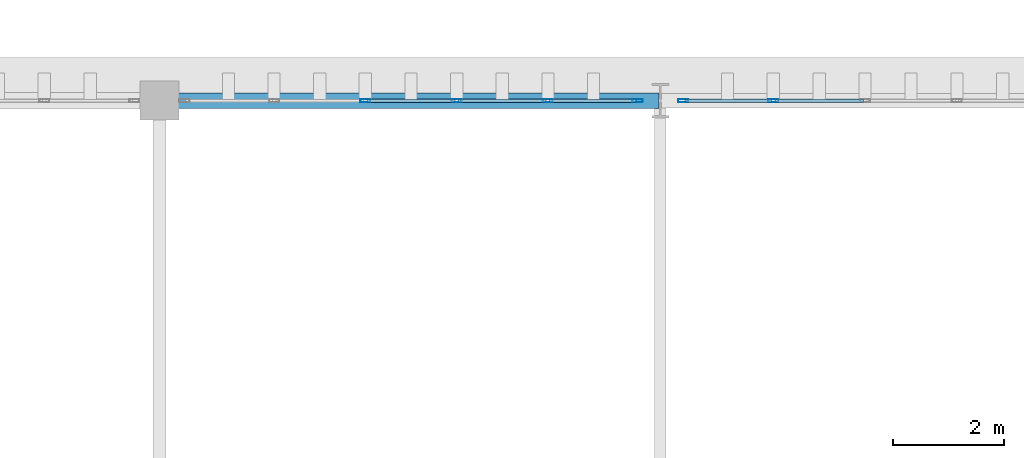
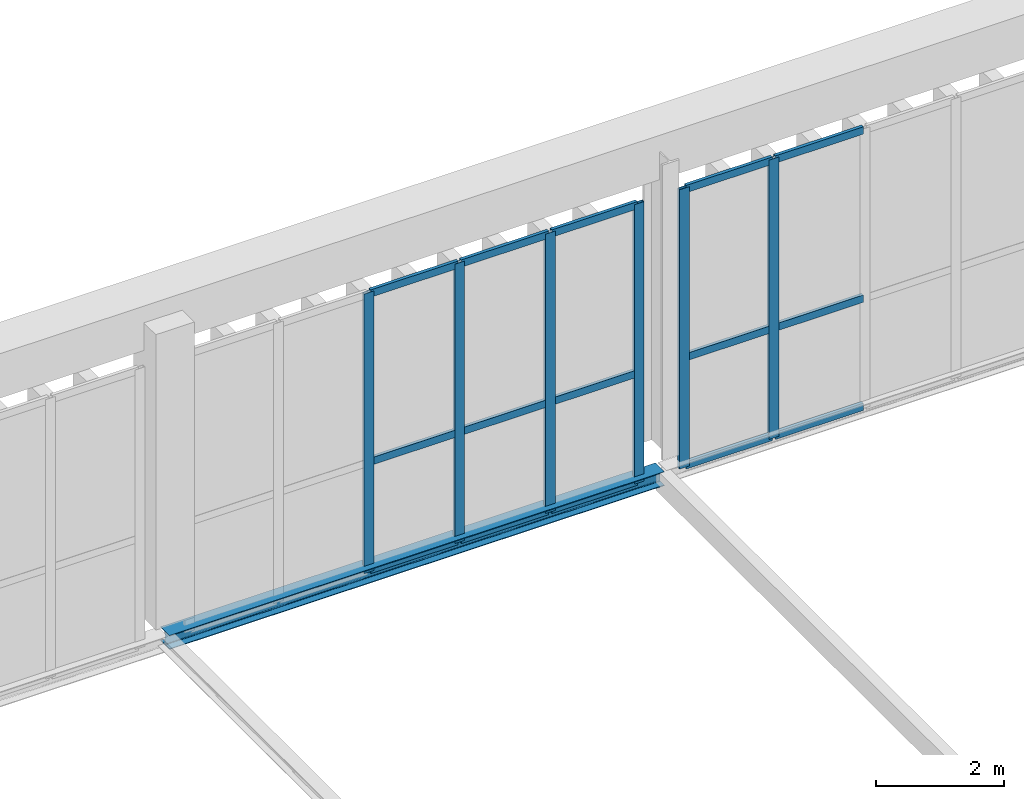
# One storey, part 167 of 237: 21 members, 1 beam, 2 elements without a shape of their own.
"""IFC4 building model written with IfcOpenShell, lengths in metres."""

from ifc_helpers import new_model, si_unit, direction, frame, origin, origin_2d, place, context, subcontext, project, spatial, hollow_rectangle, i_section, extrude, material, layer, layer_set, material_profile, profile_set, type_object, element, aggregate, save


model = new_model("IFC4")

# Units and contexts
model_context = context("Model", 3, precision=1e-05, world=origin(), true_north=direction((0.0, 1.0)))
body_context = subcontext(model_context, "Body", "Model", "MODEL_VIEW")
ifc_project = project(units=[si_unit("LENGTHUNIT", "METRE"), si_unit("AREAUNIT", "SQUARE_METRE"), si_unit("VOLUMEUNIT", "CUBIC_METRE"), si_unit("PLANEANGLEUNIT", "RADIAN"), si_unit("MASSUNIT", "GRAM", prefix="KILO")], contexts=[model_context])

# Site, building, storey
site_placement = place(None, origin())
site = spatial("IfcSite", under=ifc_project, at=site_placement, CompositionType="ELEMENT")
building_placement = place(site_placement, origin())
building = spatial("IfcBuilding", under=site, at=building_placement, Name="Barlavento Convention Centre", CompositionType="ELEMENT")
storey_placement = place(building_placement, frame((0.0, 0.0, 12.0)))
storey = spatial("IfcBuildingStorey", under=building, at=storey_placement, Name="L02", CompositionType="ELEMENT", Elevation=12.0)

# Curtain wall, members
ifc_material_1 = material(Name="Powder-coated aluminium and Low-E glass", Category="aluminium")
ifc_layer = layer(ifc_material_1, 0.18505859375)
ifc_layer_set = layer_set([ifc_layer], Name="ARC-CW-EXH-L02")
curtain_wall_type = type_object("IfcCurtainWallType", Name="ARC-CW-EXH-L02", PredefinedType="NOTDEFINED", material=ifc_layer_set)
curtain_wall_1_placement = place(storey_placement, origin())
curtain_wall_1 = element("IfcCurtainWall", 1, at=curtain_wall_1_placement, inside=storey, type_object=curtain_wall_type, Name="L02 unitised curtain wall CW05", PredefinedType="NOTDEFINED")
ifc_material_2 = material(Name="Powder-coated aluminium", Category="aluminium")
ifc_material_profile_1 = material_profile(ifc_material_2, hollow_rectangle(XDim=0.06005859375, YDim=0.179931640625, WallThickness=0.0048828125, at=origin_2d()), Name="AL-MULL 60x180x5")
ifc_profile_set_1 = profile_set([ifc_material_profile_1], Name="Powder-coated aluminium")
member_type_1 = type_object("IfcMemberType", Name="ARC-CWM-60X180", PredefinedType="MULLION", material=ifc_profile_set_1)
member_1_placement = place(storey_placement, frame((12.699951171875, 135.0, -0.5), z_axis=(0.0, 0.0, 1.0), x_axis=(0.0, 1.0, 0.0)))
member_1 = element("IfcMember", 2, at=member_1_placement, type_object=member_type_1, Name="CW05 mullion 3", PredefinedType="MULLION", context=body_context, shape_type="SweptSolid", body=[
    extrude(hollow_rectangle(XDim=0.06005859375, YDim=0.179931640625, WallThickness=0.0048828125, at=origin_2d()), origin(), (0.0, 0.0, 1.0), 5.35009765625),
])
member_2_placement = place(storey_placement, frame((14.340087890625, 135.0, -0.5), z_axis=(0.0, 0.0, 1.0), x_axis=(0.0, 1.0, 0.0)))
member_2 = element("IfcMember", 3, at=member_2_placement, type_object=member_type_1, Name="CW05 mullion 4", PredefinedType="MULLION", context=body_context, shape_type="SweptSolid", body=[
    extrude(hollow_rectangle(XDim=0.06005859375, YDim=0.179931640625, WallThickness=0.0048828125, at=origin_2d()), origin(), (0.0, 0.0, 1.0), 5.35009765625),
])
member_3_placement = place(storey_placement, frame((15.97998046875, 135.0, -0.5), z_axis=(0.0, 0.0, 1.0), x_axis=(0.0, 1.0, 0.0)))
member_3 = element("IfcMember", 4, at=member_3_placement, type_object=member_type_1, Name="CW05 mullion 5", PredefinedType="MULLION", context=body_context, shape_type="SweptSolid", body=[
    extrude(hollow_rectangle(XDim=0.06005859375, YDim=0.179931640625, WallThickness=0.0048828125, at=origin_2d()), origin(), (0.0, 0.0, 1.0), 5.35009765625),
])
member_4_placement = place(storey_placement, frame((17.590087890625, 135.0, -0.5), z_axis=(0.0, 0.0, 1.0), x_axis=(0.0, 1.0, 0.0)))
member_4 = element("IfcMember", 5, at=member_4_placement, type_object=member_type_1, Name="CW05 mullion 6", PredefinedType="MULLION", context=body_context, shape_type="SweptSolid", body=[
    extrude(hollow_rectangle(XDim=0.06005859375, YDim=0.179931640625, WallThickness=0.0048828125, at=origin_2d()), origin(), (0.0, 0.0, 1.0), 5.35009765625),
])

curtain_wall_2_placement = place(storey_placement, origin())
curtain_wall_2 = element("IfcCurtainWall", 6, at=curtain_wall_2_placement, inside=storey, type_object=curtain_wall_type, Name="L02 unitised curtain wall CW05", PredefinedType="NOTDEFINED")
member_5_placement = place(storey_placement, frame((18.409912109375, 135.0, -0.5), z_axis=(0.0, 0.0, 1.0), x_axis=(0.0, 1.0, 0.0)))
member_5 = element("IfcMember", 7, at=member_5_placement, type_object=member_type_1, Name="CW05 mullion 1", PredefinedType="MULLION", context=body_context, shape_type="SweptSolid", body=[
    extrude(hollow_rectangle(XDim=0.06005859375, YDim=0.179931640625, WallThickness=0.0048828125, at=origin_2d()), origin(), (0.0, 0.0, 1.0), 5.35009765625),
])
member_6_placement = place(storey_placement, frame((20.030029296875, 135.0, -0.5), z_axis=(0.0, 0.0, 1.0), x_axis=(0.0, 1.0, 0.0)))
member_6 = element("IfcMember", 8, at=member_6_placement, type_object=member_type_1, Name="CW05 mullion 2", PredefinedType="MULLION", context=body_context, shape_type="SweptSolid", body=[
    extrude(hollow_rectangle(XDim=0.06005859375, YDim=0.179931640625, WallThickness=0.0048828125, at=origin_2d()), origin(), (0.0, 0.0, 1.0), 5.35009765625),
])

# Member
ifc_material_profile_2 = material_profile(ifc_material_2, hollow_rectangle(XDim=0.06005859375, YDim=0.139892578125, WallThickness=0.00390625, at=origin_2d()), Name="AL-TRAN 60x140x4")
ifc_profile_set_2 = profile_set([ifc_material_profile_2], Name="Powder-coated aluminium")
member_type_2 = type_object("IfcMemberType", Name="ARC-CWT-60X140", PredefinedType="USERDEFINED", material=ifc_profile_set_2)
member_7_placement = place(storey_placement, frame((12.72998046875, 135.0, -0.469970703125), z_axis=(1.0, 0.0, 0.0), x_axis=(0.0, 1.0, 0.0)))
member_7 = element("IfcMember", 9, at=member_7_placement, type_object=member_type_2, Name="CW05 transom 3.1", ObjectType="TRANSOM", PredefinedType="USERDEFINED", context=body_context, shape_type="SweptSolid", body=[
    extrude(hollow_rectangle(XDim=0.06005859375, YDim=0.139892578125, WallThickness=0.00390625, at=origin_2d()), origin(), (0.0, 0.0, 1.0), 1.580078125),
])

member_8_placement = place(storey_placement, frame((12.72998046875, 135.0, 1.60009765625), z_axis=(1.0, 0.0, 0.0), x_axis=(0.0, 1.0, 0.0)))
member_8 = element("IfcMember", 10, at=member_8_placement, type_object=member_type_2, Name="CW05 transom 3.2", ObjectType="TRANSOM", PredefinedType="USERDEFINED", context=body_context, shape_type="SweptSolid", body=[
    extrude(hollow_rectangle(XDim=0.06005859375, YDim=0.139892578125, WallThickness=0.00390625, at=origin_2d()), origin(), (0.0, 0.0, 1.0), 1.580078125),
])

member_9_placement = place(storey_placement, frame((12.72998046875, 135.0, 4.820068359375), z_axis=(1.0, 0.0, 0.0), x_axis=(0.0, 1.0, 0.0)))
member_9 = element("IfcMember", 11, at=member_9_placement, type_object=member_type_2, Name="CW05 transom 3.3", ObjectType="TRANSOM", PredefinedType="USERDEFINED", context=body_context, shape_type="SweptSolid", body=[
    extrude(hollow_rectangle(XDim=0.06005859375, YDim=0.139892578125, WallThickness=0.00390625, at=origin_2d()), origin(), (0.0, 0.0, 1.0), 1.580078125),
])

member_10_placement = place(storey_placement, frame((14.3701171875, 135.0, -0.469970703125), z_axis=(1.0, 0.0, 0.0), x_axis=(0.0, 1.0, 0.0)))
member_10 = element("IfcMember", 12, at=member_10_placement, type_object=member_type_2, Name="CW05 transom 4.1", ObjectType="TRANSOM", PredefinedType="USERDEFINED", context=body_context, shape_type="SweptSolid", body=[
    extrude(hollow_rectangle(XDim=0.06005859375, YDim=0.139892578125, WallThickness=0.00390625, at=origin_2d()), origin(), (0.0, 0.0, 1.0), 1.579833984375),
])

member_11_placement = place(storey_placement, frame((14.3701171875, 135.0, 1.60009765625), z_axis=(1.0, 0.0, 0.0), x_axis=(0.0, 1.0, 0.0)))
member_11 = element("IfcMember", 13, at=member_11_placement, type_object=member_type_2, Name="CW05 transom 4.2", ObjectType="TRANSOM", PredefinedType="USERDEFINED", context=body_context, shape_type="SweptSolid", body=[
    extrude(hollow_rectangle(XDim=0.06005859375, YDim=0.139892578125, WallThickness=0.00390625, at=origin_2d()), origin(), (0.0, 0.0, 1.0), 1.579833984375),
])

member_12_placement = place(storey_placement, frame((14.3701171875, 135.0, 4.820068359375), z_axis=(1.0, 0.0, 0.0), x_axis=(0.0, 1.0, 0.0)))
member_12 = element("IfcMember", 14, at=member_12_placement, type_object=member_type_2, Name="CW05 transom 4.3", ObjectType="TRANSOM", PredefinedType="USERDEFINED", context=body_context, shape_type="SweptSolid", body=[
    extrude(hollow_rectangle(XDim=0.06005859375, YDim=0.139892578125, WallThickness=0.00390625, at=origin_2d()), origin(), (0.0, 0.0, 1.0), 1.579833984375),
])

member_13_placement = place(storey_placement, frame((16.010009765625, 135.0, -0.469970703125), z_axis=(1.0, 0.0, 0.0), x_axis=(0.0, 1.0, 0.0)))
member_13 = element("IfcMember", 15, at=member_13_placement, type_object=member_type_2, Name="CW05 transom 5.1", ObjectType="TRANSOM", PredefinedType="USERDEFINED", context=body_context, shape_type="SweptSolid", body=[
    extrude(hollow_rectangle(XDim=0.06005859375, YDim=0.139892578125, WallThickness=0.00390625, at=origin_2d()), origin(), (0.0, 0.0, 1.0), 1.550048828125),
])

member_14_placement = place(storey_placement, frame((16.010009765625, 135.0, 1.60009765625), z_axis=(1.0, 0.0, 0.0), x_axis=(0.0, 1.0, 0.0)))
member_14 = element("IfcMember", 16, at=member_14_placement, type_object=member_type_2, Name="CW05 transom 5.2", ObjectType="TRANSOM", PredefinedType="USERDEFINED", context=body_context, shape_type="SweptSolid", body=[
    extrude(hollow_rectangle(XDim=0.06005859375, YDim=0.139892578125, WallThickness=0.00390625, at=origin_2d()), origin(), (0.0, 0.0, 1.0), 1.550048828125),
])

member_15_placement = place(storey_placement, frame((16.010009765625, 135.0, 4.820068359375), z_axis=(1.0, 0.0, 0.0), x_axis=(0.0, 1.0, 0.0)))
member_15 = element("IfcMember", 17, at=member_15_placement, type_object=member_type_2, Name="CW05 transom 5.3", ObjectType="TRANSOM", PredefinedType="USERDEFINED", context=body_context, shape_type="SweptSolid", body=[
    extrude(hollow_rectangle(XDim=0.06005859375, YDim=0.139892578125, WallThickness=0.00390625, at=origin_2d()), origin(), (0.0, 0.0, 1.0), 1.550048828125),
])

aggregate(curtain_wall_1, [member_1, member_2, member_3, member_4, member_7, member_8, member_9, member_10, member_11, member_12, member_13, member_14, member_15])

member_16_placement = place(storey_placement, frame((18.43994140625, 135.0, -0.469970703125), z_axis=(1.0, 0.0, 0.0), x_axis=(0.0, 1.0, 0.0)))
member_16 = element("IfcMember", 18, at=member_16_placement, type_object=member_type_2, Name="CW05 transom 1.1", ObjectType="TRANSOM", PredefinedType="USERDEFINED", context=body_context, shape_type="SweptSolid", body=[
    extrude(hollow_rectangle(XDim=0.06005859375, YDim=0.139892578125, WallThickness=0.00390625, at=origin_2d()), origin(), (0.0, 0.0, 1.0), 1.56005859375),
])

member_17_placement = place(storey_placement, frame((18.43994140625, 135.0, 1.60009765625), z_axis=(1.0, 0.0, 0.0), x_axis=(0.0, 1.0, 0.0)))
member_17 = element("IfcMember", 19, at=member_17_placement, type_object=member_type_2, Name="CW05 transom 1.2", ObjectType="TRANSOM", PredefinedType="USERDEFINED", context=body_context, shape_type="SweptSolid", body=[
    extrude(hollow_rectangle(XDim=0.06005859375, YDim=0.139892578125, WallThickness=0.00390625, at=origin_2d()), origin(), (0.0, 0.0, 1.0), 1.56005859375),
])

member_18_placement = place(storey_placement, frame((18.43994140625, 135.0, 4.820068359375), z_axis=(1.0, 0.0, 0.0), x_axis=(0.0, 1.0, 0.0)))
member_18 = element("IfcMember", 20, at=member_18_placement, type_object=member_type_2, Name="CW05 transom 1.3", ObjectType="TRANSOM", PredefinedType="USERDEFINED", context=body_context, shape_type="SweptSolid", body=[
    extrude(hollow_rectangle(XDim=0.06005859375, YDim=0.139892578125, WallThickness=0.00390625, at=origin_2d()), origin(), (0.0, 0.0, 1.0), 1.56005859375),
])

member_19_placement = place(storey_placement, frame((20.06005859375, 135.0, -0.469970703125), z_axis=(1.0, 0.0, 0.0), x_axis=(0.0, 1.0, 0.0)))
member_19 = element("IfcMember", 21, at=member_19_placement, type_object=member_type_2, Name="CW05 transom 2.1", ObjectType="TRANSOM", PredefinedType="USERDEFINED", context=body_context, shape_type="SweptSolid", body=[
    extrude(hollow_rectangle(XDim=0.06005859375, YDim=0.139892578125, WallThickness=0.00390625, at=origin_2d()), origin(), (0.0, 0.0, 1.0), 1.58984375),
])

member_20_placement = place(storey_placement, frame((20.06005859375, 135.0, 1.60009765625), z_axis=(1.0, 0.0, 0.0), x_axis=(0.0, 1.0, 0.0)))
member_20 = element("IfcMember", 22, at=member_20_placement, type_object=member_type_2, Name="CW05 transom 2.2", ObjectType="TRANSOM", PredefinedType="USERDEFINED", context=body_context, shape_type="SweptSolid", body=[
    extrude(hollow_rectangle(XDim=0.06005859375, YDim=0.139892578125, WallThickness=0.00390625, at=origin_2d()), origin(), (0.0, 0.0, 1.0), 1.58984375),
])

member_21_placement = place(storey_placement, frame((20.06005859375, 135.0, 4.820068359375), z_axis=(1.0, 0.0, 0.0), x_axis=(0.0, 1.0, 0.0)))
member_21 = element("IfcMember", 23, at=member_21_placement, type_object=member_type_2, Name="CW05 transom 2.3", ObjectType="TRANSOM", PredefinedType="USERDEFINED", context=body_context, shape_type="SweptSolid", body=[
    extrude(hollow_rectangle(XDim=0.06005859375, YDim=0.139892578125, WallThickness=0.00390625, at=origin_2d()), origin(), (0.0, 0.0, 1.0), 1.58984375),
])

aggregate(curtain_wall_2, [member_5, member_6, member_16, member_17, member_18, member_19, member_20, member_21])

# Beam
ifc_material_3 = material(Name="Steel S355", Category="steel")
ifc_material_profile_3 = material_profile(ifc_material_3, i_section(OverallWidth=0.280029296875, OverallDepth=0.27001953125, WebThickness=0.008056640625, FlangeThickness=0.012939453125, FilletRadius=0.02392578125, at=origin_2d()), Name="HEA 280")
ifc_profile_set_3 = profile_set([ifc_material_profile_3], Name="Steel S355")
beam_type = type_object("IfcBeamType", Name="STR-BM-SPN-HEA280", PredefinedType="SPANDREL", material=ifc_profile_set_3)
beam_placement = place(storey_placement, frame((9.02001953125, 135.0, -0.4951171875), z_axis=(1.0, 0.0, 0.0), x_axis=(0.0, 1.0, 0.0)))
element("IfcBeam", 24, at=beam_placement, inside=storey, type_object=beam_type, Name="L02 primary girder SP03", PredefinedType="SPANDREL", context=body_context, shape_type="SweptSolid", body=[
    extrude(i_section(OverallWidth=0.280029296875, OverallDepth=0.27001953125, WebThickness=0.008056640625, FlangeThickness=0.012939453125, FilletRadius=0.02392578125, at=origin_2d()), origin(), (0.0, 0.0, 1.0), 8.9599609375),
])

save(model, "model.ifc")
